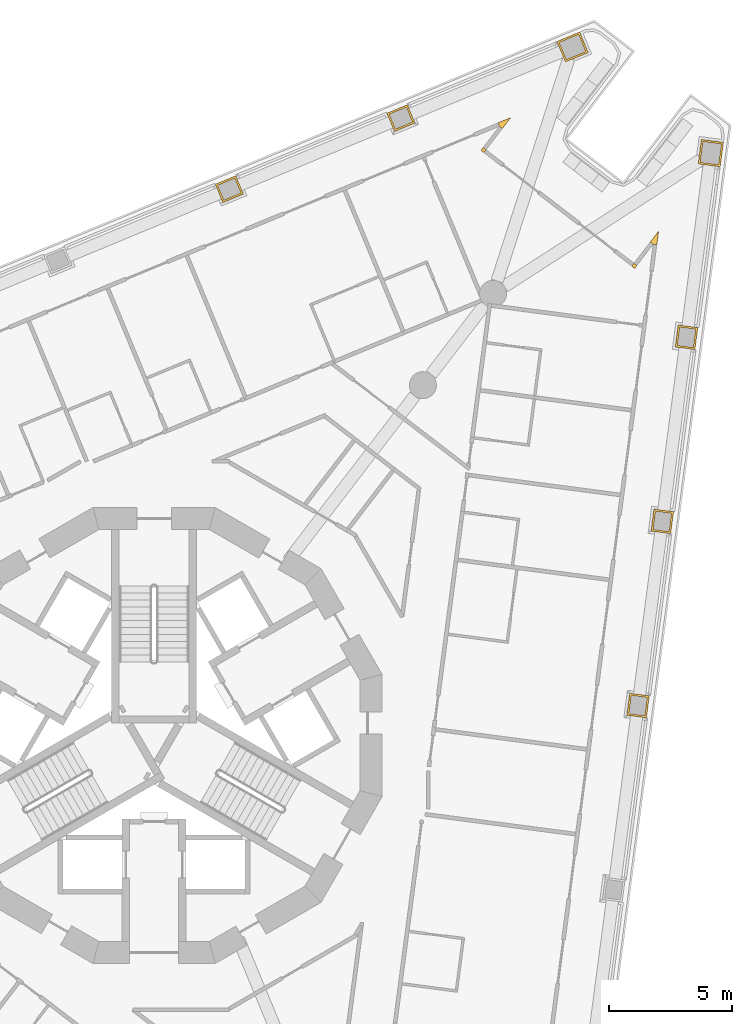
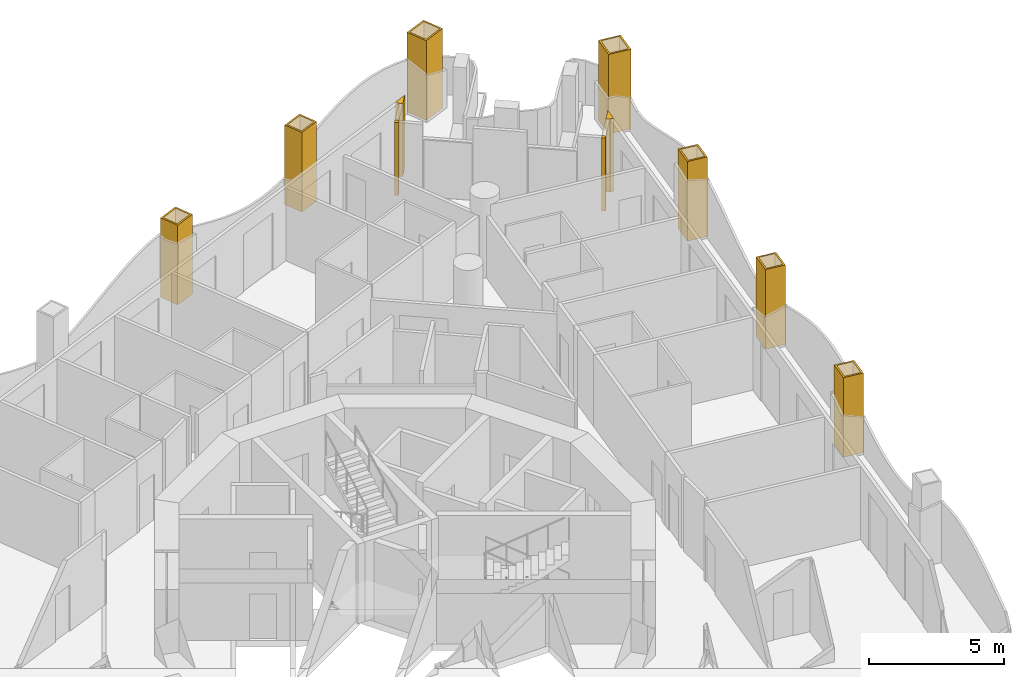
# One storey, part 16 of 17: 11 coverings.
"""IFC4 building model written with IfcOpenShell, lengths in metres."""

from ifc_helpers import new_model, si_unit, direction, frame, origin, place, context, subcontext, project, spatial, polyline, outline, extrude, material, layer, layer_set, type_object, element, save


model = new_model("IFC4")

# Units and contexts
model_context = context("Model", 3, precision=1e-05, world=origin(), true_north=direction((0.0, 1.0)))
body_context = subcontext(model_context, "Body", "Model", "MODEL_VIEW")
ifc_project = project(units=[si_unit("LENGTHUNIT", "METRE"), si_unit("AREAUNIT", "SQUARE_METRE"), si_unit("VOLUMEUNIT", "CUBIC_METRE"), si_unit("PLANEANGLEUNIT", "RADIAN"), si_unit("MASSUNIT", "GRAM", prefix="KILO")], contexts=[model_context])

# Site, building, storey
site_placement = place(None, origin())
site = spatial("IfcSite", under=ifc_project, at=site_placement, CompositionType="ELEMENT")
building_placement = place(site_placement, origin())
building = spatial("IfcBuilding", under=site, at=building_placement, Name="Trine Commons Tower", CompositionType="ELEMENT")
storey_placement = place(building_placement, frame((0.0, 0.0, 135.0)))
storey = spatial("IfcBuildingStorey", under=building, at=storey_placement, Name="L34", CompositionType="ELEMENT", Elevation=135.0)

# Coverings
ifc_material_1 = material(Name="Aluminium-framed insulated wall panel", Category="aluminium")
ifc_layer_1 = layer(ifc_material_1, 0.14990234375)
ifc_layer_set_1 = layer_set([ifc_layer_1], Name="Aluminium-framed insulated wall panel")
covering_type_1 = type_object("IfcCoveringType", Name="Glazing corner post, aluminium", PredefinedType="CLADDING", material=ifc_layer_set_1)
covering_1_placement = place(storey_placement, origin())
element("IfcCovering", 1, at=covering_1_placement, inside=storey, type_object=covering_type_1, Name="Glazing corner post 4-05", PredefinedType="CLADDING", context=body_context, shape_type="SweptSolid", body=[
    extrude(outline(polyline([(94.04248046875, 87.272705078125), (94.04248046875, 87.272705078125), (94.16162109375, 87.181396484375), (94.50244140625, 87.62548828125), (93.985107421875, 87.411376953125), (94.04248046875, 87.272705078125)])), origin(), (0.0, 0.0, 1.0), 3.300048828125),
])
covering_2_placement = place(storey_placement, origin())
element("IfcCovering", 2, at=covering_2_placement, inside=storey, type_object=covering_type_1, Name="Glazing corner post 4-06", PredefinedType="CLADDING", context=body_context, shape_type="SweptSolid", body=[
    extrude(outline(polyline([(93.4091796875, 86.201171875), (93.50048828125, 86.320068359375), (93.381591796875, 86.411376953125), (93.290283203125, 86.29248046875), (93.4091796875, 86.201171875)])), origin(), (0.0, 0.0, 1.0), 3.300048828125),
])
covering_3_placement = place(storey_placement, origin())
element("IfcCovering", 3, at=covering_3_placement, inside=storey, type_object=covering_type_1, Name="Glazing corner post 4-07", PredefinedType="CLADDING", context=body_context, shape_type="SweptSolid", body=[
    extrude(outline(polyline([(99.4228515625, 81.586669921875), (99.5419921875, 81.495361328125), (99.63330078125, 81.614501953125), (99.514404296875, 81.705810546875), (99.4228515625, 81.586669921875)])), origin(), (0.0, 0.0, 1.0), 3.300048828125),
])
covering_4_placement = place(storey_placement, origin())
element("IfcCovering", 4, at=covering_4_placement, inside=storey, type_object=covering_type_1, Name="Glazing corner post 4-08", PredefinedType="CLADDING", context=body_context, shape_type="SweptSolid", body=[
    extrude(outline(polyline([(100.44287109375, 82.456298828125), (100.51611328125, 83.01123046875), (100.17529296875, 82.567138671875), (100.294189453125, 82.475830078125), (100.44287109375, 82.456298828125)])), origin(), (0.0, 0.0, 1.0), 3.300048828125),
])
ifc_material_2 = material(Name="Limestone, honed", Category="masonry")
ifc_layer_2 = layer(ifc_material_2, 0.074951171875)
ifc_layer_set_2 = layer_set([ifc_layer_2], Name="Limestone, honed")
covering_type_2 = type_object("IfcCoveringType", Name="Limestone column cladding 75", PredefinedType="CLADDING", material=ifc_layer_set_2)
covering_5_placement = place(storey_placement, origin())
element("IfcCovering", 5, at=covering_5_placement, inside=storey, type_object=covering_type_2, Name="Limestone pier cladding 4-14", PredefinedType="CLADDING", context=body_context, shape_type="SweptSolid", body=[
    extrude(outline(polyline([(83.62841796875, 84.517822265625), (83.322265625, 85.2568359375), (82.49072265625, 84.912353515625), (82.796875, 84.17333984375), (83.62841796875, 84.517822265625)]), holes=[polyline([(83.5302734375, 84.558349609375), (83.281494140625, 85.158935546875), (82.588623046875, 84.871826171875), (82.83740234375, 84.271240234375), (83.5302734375, 84.558349609375)])]), origin(), (0.0, 0.0, 1.0), 3.60009765625),
])
covering_6_placement = place(storey_placement, origin())
element("IfcCovering", 6, at=covering_6_placement, inside=storey, type_object=covering_type_2, Name="Limestone pier cladding 4-15", PredefinedType="CLADDING", context=body_context, shape_type="SweptSolid", body=[
    extrude(outline(polyline([(90.60546875, 87.40771484375), (90.29931640625, 88.14697265625), (89.4677734375, 87.802490234375), (89.77392578125, 87.063232421875), (90.60546875, 87.40771484375)]), holes=[polyline([(90.50732421875, 87.4482421875), (90.2587890625, 88.048828125), (89.56591796875, 87.761962890625), (89.814453125, 87.161376953125), (90.50732421875, 87.4482421875)])]), origin(), (0.0, 0.0, 1.0), 3.60009765625),
])
covering_7_placement = place(storey_placement, origin())
element("IfcCovering", 7, at=covering_7_placement, inside=storey, type_object=covering_type_2, Name="Limestone pier cladding 4-16", PredefinedType="CLADDING", context=body_context, shape_type="SweptSolid", body=[
    extrude(outline(polyline([(97.647705078125, 90.270751953125), (97.30322265625, 91.102294921875), (96.37939453125, 90.719482421875), (96.723876953125, 89.887939453125), (97.647705078125, 90.270751953125)]), holes=[polyline([(97.5498046875, 90.311279296875), (97.2626953125, 91.004150390625), (96.477294921875, 90.678955078125), (96.764404296875, 89.986083984375), (97.5498046875, 90.311279296875)])]), origin(), (0.0, 0.0, 1.0), 3.60009765625),
])
covering_8_placement = place(storey_placement, origin())
element("IfcCovering", 8, at=covering_8_placement, inside=storey, type_object=covering_type_2, Name="Limestone pier cladding 4-17", PredefinedType="CLADDING", context=body_context, shape_type="SweptSolid", body=[
    extrude(outline(polyline([(103.149169921875, 86.61669921875), (102.2568359375, 86.734130859375), (102.126220703125, 85.74267578125), (103.0185546875, 85.625), (103.149169921875, 86.61669921875)]), holes=[polyline([(103.06494140625, 86.552001953125), (102.3212890625, 86.64990234375), (102.21044921875, 85.80712890625), (102.9541015625, 85.709228515625), (103.06494140625, 86.552001953125)])]), origin(), (0.0, 0.0, 1.0), 3.60009765625),
])
covering_9_placement = place(storey_placement, origin())
element("IfcCovering", 9, at=covering_9_placement, inside=storey, type_object=covering_type_2, Name="Limestone pier cladding 4-18", PredefinedType="CLADDING", context=body_context, shape_type="SweptSolid", body=[
    extrude(outline(polyline([(102.107421875, 79.086181640625), (101.314208984375, 79.190673828125), (101.19677734375, 78.29833984375), (101.98974609375, 78.19384765625), (102.107421875, 79.086181640625)]), holes=[polyline([(102.023193359375, 79.021484375), (101.378662109375, 79.1064453125), (101.28076171875, 78.36279296875), (101.92529296875, 78.278076171875), (102.023193359375, 79.021484375)])]), origin(), (0.0, 0.0, 1.0), 3.60009765625),
])
covering_10_placement = place(storey_placement, origin())
element("IfcCovering", 10, at=covering_10_placement, inside=storey, type_object=covering_type_2, Name="Limestone pier cladding 4-19", PredefinedType="CLADDING", context=body_context, shape_type="SweptSolid", body=[
    extrude(outline(polyline([(101.12158203125, 71.598876953125), (100.328369140625, 71.703369140625), (100.2109375, 70.81103515625), (101.00390625, 70.70654296875), (101.12158203125, 71.598876953125)]), holes=[polyline([(101.037353515625, 71.5341796875), (100.392822265625, 71.619140625), (100.294921875, 70.87548828125), (100.939453125, 70.790771484375), (101.037353515625, 71.5341796875)])]), origin(), (0.0, 0.0, 1.0), 3.60009765625),
])
covering_11_placement = place(storey_placement, origin())
element("IfcCovering", 11, at=covering_11_placement, inside=storey, type_object=covering_type_2, Name="Limestone pier cladding 4-20", PredefinedType="CLADDING", context=body_context, shape_type="SweptSolid", body=[
    extrude(outline(polyline([(100.1357421875, 64.111572265625), (99.3427734375, 64.216064453125), (99.22509765625, 63.32373046875), (100.018310546875, 63.21923828125), (100.1357421875, 64.111572265625)]), holes=[polyline([(100.0517578125, 64.047119140625), (99.4072265625, 64.1318359375), (99.309326171875, 63.38818359375), (99.953857421875, 63.303466796875), (100.0517578125, 64.047119140625)])]), origin(), (0.0, 0.0, 1.0), 3.60009765625),
])

save(model, "model.ifc")
